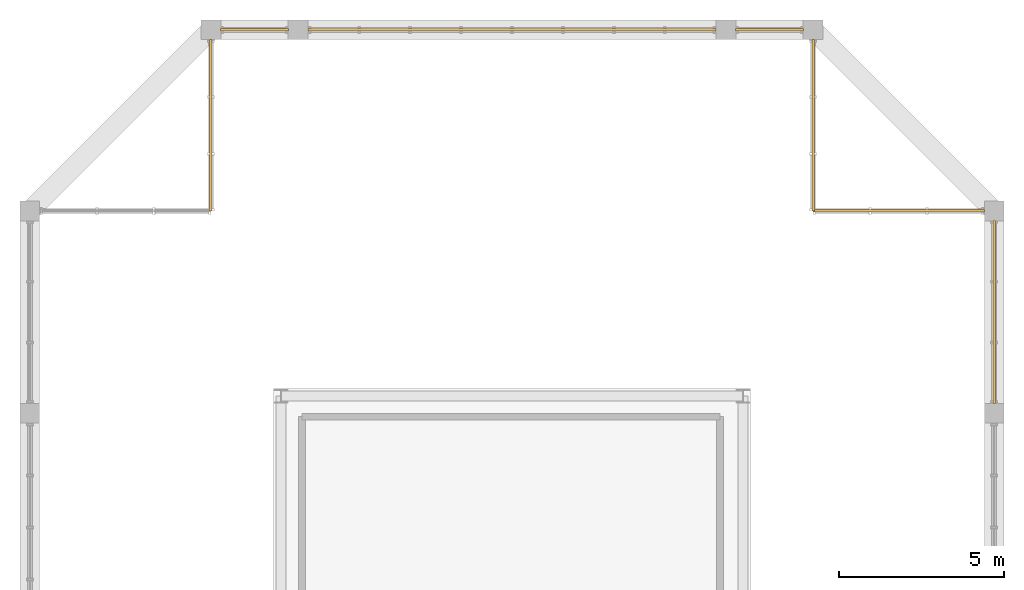
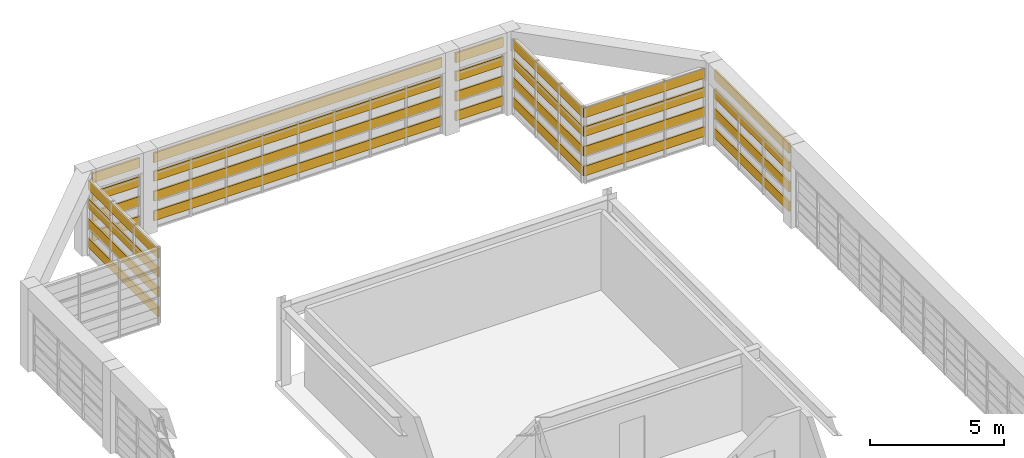
# One storey, part 27 of 27: 28 shading devices.
"""IFC4 building model written with IfcOpenShell, lengths in metres."""

from ifc_helpers import new_model, si_unit, direction, frame, origin, origin_2d, place, context, subcontext, project, spatial, rectangle, extrude, source, transform, mapped, material, material_profile, profile_set, type_object, element, save


model = new_model("IFC4")

# Units and contexts
model_context = context("Model", 3, precision=1e-05, world=origin(), true_north=direction((0.0, 1.0)))
body_context = subcontext(model_context, "Body", "Model", "MODEL_VIEW")
ifc_project = project(units=[si_unit("LENGTHUNIT", "METRE"), si_unit("AREAUNIT", "SQUARE_METRE"), si_unit("VOLUMEUNIT", "CUBIC_METRE"), si_unit("PLANEANGLEUNIT", "RADIAN"), si_unit("MASSUNIT", "GRAM", prefix="KILO")], contexts=[model_context])

# Site, building, storey
site_placement = place(None, origin())
site = spatial("IfcSite", under=ifc_project, at=site_placement, CompositionType="ELEMENT")
building_placement = place(site_placement, origin())
building = spatial("IfcBuilding", under=site, at=building_placement, Name="Saelheon Loggia Tower", CompositionType="ELEMENT")
storey_placement = place(building_placement, frame((0.0, 0.0, 256.0)))
storey = spatial("IfcBuildingStorey", under=building, at=storey_placement, Name="CR2", CompositionType="ELEMENT", Elevation=256.0)

# Shading devices
ifc_material = material(Name="Bronze-Anodised Aluminium 6063-T6", Category="aluminium")
ifc_material_profile = material_profile(ifc_material, rectangle(XDim=0.080078125, YDim=0.43994140625, at=origin_2d()), Name="Louvre_CrownBlade_250")
ifc_profile_set = profile_set([ifc_material_profile], Name="Bronze-Anodised Aluminium 6063-T6")
shading_device_type = type_object("IfcShadingDeviceType", Name="Louvre_CrownBlade_250", PredefinedType="AWNING", material=ifc_profile_set)
shared_shape_1 = source(origin(), body_context, "Body", "SweptSolid", [
    extrude(rectangle(XDim=0.080078125, YDim=0.43994140625, at=origin_2d()), origin(), (0.0, 0.0, 1.0), 2.06005859375),
])
for number, where, z_axis, x_axis, name in (
    (1, (46.85498046875, 47.64990234375, 0.550048828125), (-1.0, 0.0, 0.0), (0.0, -1.0, 0.0), "CR2 Crown Screen Horizontal Blade"),
    (2, (46.85498046875, 47.64990234375, 1.449951171875), (-1.0, 0.0, 0.0), (0.0, -1.0, 0.0), "CR2 Crown Screen Horizontal Blade"),
    (3, (46.85498046875, 47.64990234375, 2.35009765625), (-1.0, 0.0, 0.0), (0.0, -1.0, 0.0), "CR2 Crown Screen Horizontal Blade"),
    (4, (46.85498046875, 47.64990234375, 3.199951171875), (-1.0, 0.0, 0.0), (0.0, -1.0, 0.0), "CR2 Crown Screen Horizontal Blade"),
    (5, (31.205078125, 47.64990234375, 0.550048828125), (-1.0, 0.0, 0.0), (0.0, -1.0, 0.0), "CR2 Crown Screen Horizontal Blade"),
    (6, (31.205078125, 47.64990234375, 1.449951171875), (-1.0, 0.0, 0.0), (0.0, -1.0, 0.0), "CR2 Crown Screen Horizontal Blade"),
    (7, (31.205078125, 47.64990234375, 2.35009765625), (-1.0, 0.0, 0.0), (0.0, -1.0, 0.0), "CR2 Crown Screen Horizontal Blade"),
    (8, (31.205078125, 47.64990234375, 3.199951171875), (-1.0, 0.0, 0.0), (0.0, -1.0, 0.0), "CR2 Crown Screen Horizontal Blade"),
):
    element("IfcShadingDevice", number, at=place(storey_placement, frame(where, z_axis=z_axis, x_axis=x_axis)), inside=storey, type_object=shading_device_type, Name=name, PredefinedType="AWNING", context=body_context, shape_type="MappedRepresentation", body=[
        mapped(shared_shape_1, transform((0.0, 0.0, 0.0), scale=1.0)),
    ])
shared_shape_2 = source(origin(), body_context, "Body", "SweptSolid", [
    extrude(rectangle(XDim=0.080078125, YDim=0.43994140625, at=origin_2d()), origin(), (0.0, 0.0, 1.0), 12.41015625),
])
for number, where, z_axis, x_axis, name in (
    (9, (44.205078125, 47.64990234375, 0.550048828125), (-1.0, 0.0, 0.0), (0.0, -1.0, 0.0), "CR2 Crown Screen Horizontal Blade"),
    (10, (44.205078125, 47.64990234375, 1.449951171875), (-1.0, 0.0, 0.0), (0.0, -1.0, 0.0), "CR2 Crown Screen Horizontal Blade"),
    (11, (44.205078125, 47.64990234375, 2.35009765625), (-1.0, 0.0, 0.0), (0.0, -1.0, 0.0), "CR2 Crown Screen Horizontal Blade"),
    (12, (44.205078125, 47.64990234375, 3.199951171875), (-1.0, 0.0, 0.0), (0.0, -1.0, 0.0), "CR2 Crown Screen Horizontal Blade"),
):
    element("IfcShadingDevice", number, at=place(storey_placement, frame(where, z_axis=z_axis, x_axis=x_axis)), inside=storey, type_object=shading_device_type, Name=name, PredefinedType="AWNING", context=body_context, shape_type="MappedRepresentation", body=[
        mapped(shared_shape_2, transform((0.0, 0.0, 0.0), scale=1.0)),
    ])
shared_shape_3 = source(origin(), body_context, "Body", "SweptSolid", [
    extrude(rectangle(XDim=0.080078125, YDim=0.43994140625, at=origin_2d()), origin(), (0.0, 0.0, 1.0), 5.205078125),
])
for number, where, z_axis, x_axis, name in (
    (13, (52.35498046875, 42.14990234375, 0.550048828125), (-1.0, 0.0, 0.0), (0.0, -1.0, 0.0), "CR2 Crown Screen Horizontal Blade"),
    (14, (52.35498046875, 42.14990234375, 1.449951171875), (-1.0, 0.0, 0.0), (0.0, -1.0, 0.0), "CR2 Crown Screen Horizontal Blade"),
    (15, (52.35498046875, 42.14990234375, 2.35009765625), (-1.0, 0.0, 0.0), (0.0, -1.0, 0.0), "CR2 Crown Screen Horizontal Blade"),
    (16, (52.35498046875, 42.14990234375, 3.199951171875), (-1.0, 0.0, 0.0), (0.0, -1.0, 0.0), "CR2 Crown Screen Horizontal Blade"),
    (17, (47.14990234375, 42.14990234375, 0.550048828125), (0.0, 1.0, 0.0), (-1.0, 0.0, 0.0), "CR2 Crown Screen Horizontal Blade"),
    (18, (47.14990234375, 42.14990234375, 1.449951171875), (0.0, 1.0, 0.0), (-1.0, 0.0, 0.0), "CR2 Crown Screen Horizontal Blade"),
    (19, (47.14990234375, 42.14990234375, 2.35009765625), (0.0, 1.0, 0.0), (-1.0, 0.0, 0.0), "CR2 Crown Screen Horizontal Blade"),
    (20, (47.14990234375, 42.14990234375, 3.199951171875), (0.0, 1.0, 0.0), (-1.0, 0.0, 0.0), "CR2 Crown Screen Horizontal Blade"),
    (21, (28.85009765625, 47.35498046875, 0.550048828125), (0.0, -1.0, 0.0), (1.0, 0.0, 0.0), "CR2 Crown Screen Horizontal Blade"),
    (22, (28.85009765625, 47.35498046875, 1.449951171875), (0.0, -1.0, 0.0), (1.0, 0.0, 0.0), "CR2 Crown Screen Horizontal Blade"),
    (23, (28.85009765625, 47.35498046875, 2.35009765625), (0.0, -1.0, 0.0), (1.0, 0.0, 0.0), "CR2 Crown Screen Horizontal Blade"),
    (24, (28.85009765625, 47.35498046875, 3.199951171875), (0.0, -1.0, 0.0), (1.0, 0.0, 0.0), "CR2 Crown Screen Horizontal Blade"),
):
    element("IfcShadingDevice", number, at=place(storey_placement, frame(where, z_axis=z_axis, x_axis=x_axis)), inside=storey, type_object=shading_device_type, Name=name, PredefinedType="AWNING", context=body_context, shape_type="MappedRepresentation", body=[
        mapped(shared_shape_3, transform((0.0, 0.0, 0.0), scale=1.0)),
    ])
shared_shape_4 = source(origin(), body_context, "Body", "SweptSolid", [
    extrude(rectangle(XDim=0.080078125, YDim=0.43994140625, at=origin_2d()), origin(), (0.0, 0.0, 1.0), 5.56005859375),
])
for number, where, z_axis, x_axis, name in (
    (25, (52.64990234375, 36.294921875, 0.550048828125), (0.0, 1.0, 0.0), (-1.0, 0.0, 0.0), "CR2 Crown Screen Horizontal Blade"),
    (26, (52.64990234375, 36.294921875, 1.449951171875), (0.0, 1.0, 0.0), (-1.0, 0.0, 0.0), "CR2 Crown Screen Horizontal Blade"),
    (27, (52.64990234375, 36.294921875, 2.35009765625), (0.0, 1.0, 0.0), (-1.0, 0.0, 0.0), "CR2 Crown Screen Horizontal Blade"),
    (28, (52.64990234375, 36.294921875, 3.199951171875), (0.0, 1.0, 0.0), (-1.0, 0.0, 0.0), "CR2 Crown Screen Horizontal Blade"),
):
    element("IfcShadingDevice", number, at=place(storey_placement, frame(where, z_axis=z_axis, x_axis=x_axis)), inside=storey, type_object=shading_device_type, Name=name, PredefinedType="AWNING", context=body_context, shape_type="MappedRepresentation", body=[
        mapped(shared_shape_4, transform((0.0, 0.0, 0.0), scale=1.0)),
    ])

save(model, "model.ifc")
